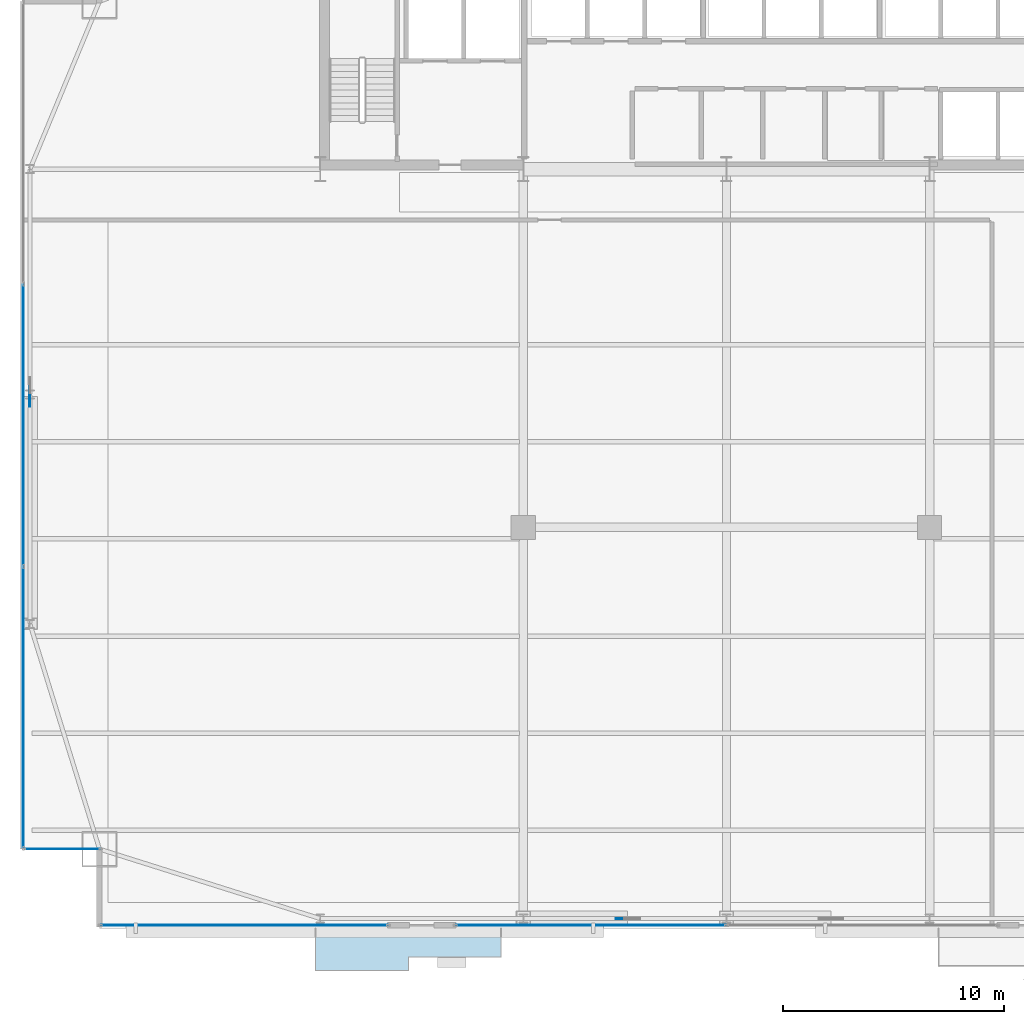
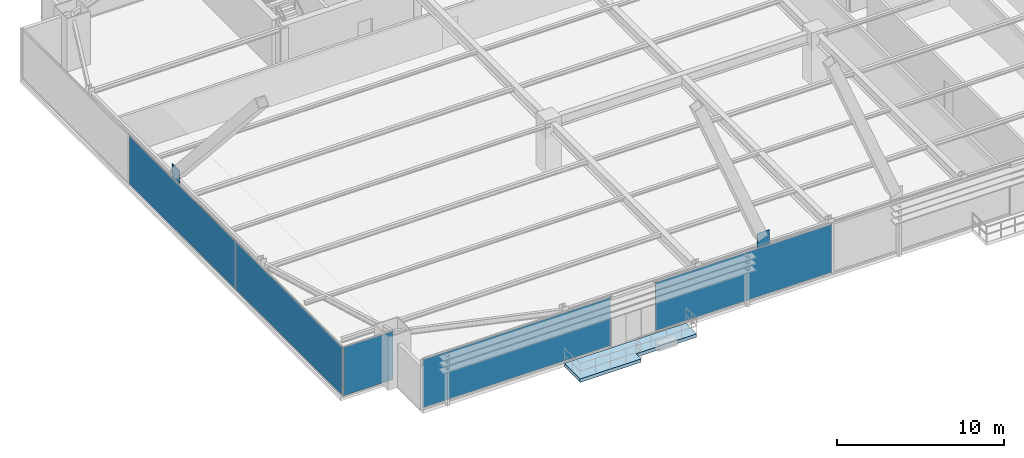
# One storey, part 25 of 35: 7 plates, 1 slab, 4 elements without a shape of their own.
"""IFC4 building model written with IfcOpenShell, lengths in metres."""

import ifcopenshell
import ifcopenshell.guid

model = None  # the IFC model being written
_history = None  # IfcOwnerHistory: only IFC2X3 demands one
_inside = {}  # id of a spatial element -> (the spatial element, [elements in it])
_under = {}  # id of a project, library or spatial element -> (it, [spatial elements below it])
_declared = {}  # id of a project -> (the project, [libraries it declares])
_typed = {}  # id of a type object -> (the type object, [elements of that type])
_made_of = {}  # id of a material, layer set ... -> (it, [elements and type objects made of it])


def new_model(schema):
    """Start an empty IFC model of exactly this schema.

    Asked for "IFC4X3", IfcOpenShell would pick the latest addendum, in which some entities
    have other attributes; the version numbers below select the first issue.
    IFC2X3 requires an IfcOwnerHistory on every rooted entity: one is made here for all.
    """
    global model, _history
    if schema == "IFC4X3":
        model = ifcopenshell.file(schema_version=(4, 3, 0, 0))
    else:
        model = ifcopenshell.file(schema=schema)
    _inside.clear()
    _under.clear()
    _declared.clear()
    _typed.clear()
    _made_of.clear()
    _history = None
    if model.schema == "IFC2X3":
        org = make("IfcOrganization", Name="unknown")
        user = make(
            "IfcPersonAndOrganization",
            ThePerson=make("IfcPerson", FamilyName="unknown"),
            TheOrganization=org,
        )
        app = make(
            "IfcApplication",
            ApplicationDeveloper=org,
            Version="unknown",
            ApplicationFullName="unknown",
            ApplicationIdentifier="unknown",
        )
        _history = make(
            "IfcOwnerHistory",
            OwningUser=user,
            OwningApplication=app,
            ChangeAction="ADDED",
            CreationDate=0,
        )
    return model


def make(cls, **values):
    """One entity of the class cls with the attributes given. An attribute that is None is left unset."""
    return model.create_entity(
        cls, **{name: value for name, value in values.items() if value is not None}
    )


def rooted(cls, **values):
    """An entity with a GlobalId (a new one), such as an element, a storey or a relation."""
    return make(cls, GlobalId=ifcopenshell.guid.new(), OwnerHistory=_history, **values)


def si_unit(unit_type, name, prefix=None):
    """IfcSIUnit, for example si_unit("LENGTHUNIT", "METRE", prefix="MILLI")."""
    return make("IfcSIUnit", UnitType=unit_type, Prefix=prefix, Name=name)


def assignment(units):
    """IfcUnitAssignment: the units of a project."""
    return None if units is None else make("IfcUnitAssignment", Units=units)


def point(xyz):
    """IfcCartesianPoint."""
    return None if xyz is None else make("IfcCartesianPoint", Coordinates=xyz)


def direction(xyz):
    """IfcDirection."""
    return None if xyz is None else make("IfcDirection", DirectionRatios=xyz)


def frame(location, z_axis=None, x_axis=None):
    """IfcAxis2Placement3D, a coordinate frame: its origin and axes. An axis left out is left unset."""
    return make(
        "IfcAxis2Placement3D",
        Location=point(location),
        Axis=direction(z_axis),
        RefDirection=direction(x_axis),
    )


def frame_2d(location, x_axis=None):
    """IfcAxis2Placement2D, a coordinate frame in the plane: its origin and x axis."""
    return make(
        "IfcAxis2Placement2D", Location=point(location), RefDirection=direction(x_axis)
    )


def origin():
    """The frame at (0, 0, 0) with its axes left unset."""
    return frame((0.0, 0.0, 0.0))


def origin_2d():
    """The frame at (0, 0) in the plane with its x axis left unset."""
    return frame_2d((0.0, 0.0))


def place(relative_to, where):
    """IfcLocalPlacement: puts the frame where relative to a parent placement (None: the world)."""
    return make(
        "IfcLocalPlacement", PlacementRelTo=relative_to, RelativePlacement=where
    )


def context(
    kind, dimensions, precision=None, world=None, true_north=None, identifier=None
):
    """IfcGeometricRepresentationContext, for example the 3D "Model" context."""
    return make(
        "IfcGeometricRepresentationContext",
        ContextIdentifier=identifier,
        ContextType=kind,
        CoordinateSpaceDimension=dimensions,
        Precision=precision,
        WorldCoordinateSystem=world,
        TrueNorth=true_north,
    )


def subcontext(parent, identifier, kind, view, scale=None):
    """IfcGeometricRepresentationSubContext, for example "Body" below "Model"."""
    return make(
        "IfcGeometricRepresentationSubContext",
        ContextIdentifier=identifier,
        ContextType=kind,
        ParentContext=parent,
        TargetScale=scale,
        TargetView=view,
    )


def project(units=None, contexts=None):
    """IfcProject with its units and contexts."""
    return rooted(
        "IfcProject",
        Name="project",
        RepresentationContexts=contexts,
        UnitsInContext=assignment(units),
    )


def spatial(cls, under=None, at=None, **own):
    """A site, building, storey or space (cls), placed at a placement, below another one or the project."""
    s = rooted(cls, ObjectPlacement=at, **own)
    if under is not None:
        _under.setdefault(under.id(), (under, []))[1].append(s)
    return s


def polyline(points):
    """IfcPolyline through the points."""
    return make("IfcPolyline", Points=[point(p) for p in points])


def profile(cls, at=None, kind="AREA", **sizes):
    """A parametric profile (cls). Its sizes go by their IFC names, for example OverallWidth=200.0."""
    return make(cls, ProfileType=kind, Position=at, **sizes)


def rectangle(**sizes):
    """IfcRectangleProfileDef."""
    return profile("IfcRectangleProfileDef", **sizes)


def outline(outer, holes=None, kind="AREA"):
    """IfcArbitraryClosedProfileDef: a profile drawn as a closed curve; with holes, ...WithVoids."""
    if holes is None:
        return make("IfcArbitraryClosedProfileDef", ProfileType=kind, OuterCurve=outer)
    return make(
        "IfcArbitraryProfileDefWithVoids",
        ProfileType=kind,
        OuterCurve=outer,
        InnerCurves=holes,
    )


def extrude(swept, where, along, depth):
    """IfcExtrudedAreaSolid: the profile swept, set in the frame where, extruded along a direction by depth."""
    return make(
        "IfcExtrudedAreaSolid",
        SweptArea=swept,
        Position=where,
        ExtrudedDirection=direction(along),
        Depth=depth,
    )


def shape(context_of_items, identifier, shape_type, items):
    """IfcShapeRepresentation: the items that make up one representation, for example the "Body"."""
    return make(
        "IfcShapeRepresentation",
        ContextOfItems=context_of_items,
        RepresentationIdentifier=identifier,
        RepresentationType=shape_type,
        Items=items,
    )


def source(mapping_origin, context_of_items, identifier, shape_type, items):
    """IfcRepresentationMap: a shape defined once, which mapped items show again and again."""
    return make(
        "IfcRepresentationMap",
        MappingOrigin=mapping_origin,
        MappedRepresentation=shape(context_of_items, identifier, shape_type, items),
    )


def transform(
    local_origin,
    x_axis=None,
    y_axis=None,
    z_axis=None,
    scale=None,
    scale2=None,
    scale3=None,
    uniform=True,
):
    """IfcCartesianTransformationOperator3D, or its non-uniform kind. x_axis, y_axis, z_axis: its Axis1, 2, 3."""
    if uniform:
        return make(
            "IfcCartesianTransformationOperator3D",
            Axis1=direction(x_axis),
            Axis2=direction(y_axis),
            LocalOrigin=point(local_origin),
            Scale=scale,
            Axis3=direction(z_axis),
        )
    return make(
        "IfcCartesianTransformationOperator3DnonUniform",
        Axis1=direction(x_axis),
        Axis2=direction(y_axis),
        LocalOrigin=point(local_origin),
        Scale=scale,
        Axis3=direction(z_axis),
        Scale2=scale2,
        Scale3=scale3,
    )


def mapped(mapping_source, mapping_target):
    """IfcMappedItem: shows the shape of a source again, moved by a transform."""
    return make(
        "IfcMappedItem", MappingSource=mapping_source, MappingTarget=mapping_target
    )


def material(Name=None, Category=None):
    """IfcMaterial."""
    return make("IfcMaterial", Name=Name, Category=Category)


def layer(
    of_material, thickness, ventilated=None, Name=None, Category=None, Priority=None
):
    """IfcMaterialLayer: one layer of a wall or slab, of a material (None: an air gap)."""
    return make(
        "IfcMaterialLayer",
        Material=of_material,
        LayerThickness=thickness,
        IsVentilated=ventilated,
        Name=Name,
        Category=Category,
        Priority=Priority,
    )


def layer_set(layers, Name=None):
    """IfcMaterialLayerSet."""
    return make("IfcMaterialLayerSet", MaterialLayers=layers, LayerSetName=Name)


def made_of(thing, what):
    """Note that an element or type object is made of a material, layer set ...; save() writes the relation."""
    if what is not None:
        _made_of.setdefault(what.id(), (what, []))[1].append(thing)
    return thing


def type_object(cls, material=None, **own):
    """A type object (cls), such as IfcWallType, which elements share."""
    return made_of(rooted(cls, **own), material)


def type_shapes(of_type, sources):
    """Give a type object the sources (RepresentationMaps) that its elements show as mapped items."""
    of_type.RepresentationMaps = sources


def element(
    cls,
    number,
    at=None,
    inside=None,
    cuts=None,
    type_object=None,
    material=None,
    context=None,
    identifier="Body",
    shape_type=None,
    held_by="IfcProductDefinitionShape",
    body=None,
    shapes=None,
    **own,
):
    """One element of the class cls, such as IfcWall. Its Tag is "e" and its number.

    at: its placement. inside: the storey or other place that contains it. cuts: it is an
    opening in that element (IfcRelVoidsElement). A single representation is given by context,
    identifier, shape_type and body (its items); several are given by shapes. held_by: the class
    of the entity that holds the representations. save() writes the other relations.
    """
    e = rooted(cls, Tag="e%d" % number, ObjectPlacement=at, **own)
    if body is not None:
        shapes = [shape(context, identifier, shape_type, body)]
    if shapes is not None:
        e.Representation = make(held_by, Representations=shapes)
    if inside is not None:
        _inside.setdefault(inside.id(), (inside, []))[1].append(e)
    if cuts is not None:
        rooted(
            "IfcRelVoidsElement", RelatingBuildingElement=cuts, RelatedOpeningElement=e
        )
    if type_object is not None:
        _typed.setdefault(type_object.id(), (type_object, []))[1].append(e)
    return made_of(e, material)


def aggregate(whole, parts):
    """IfcRelAggregates: a whole, such as a stair, and the parts it consists of."""
    return rooted("IfcRelAggregates", RelatingObject=whole, RelatedObjects=parts)


def save(model, path):
    """Write the relations noted so far, then the file.

    IfcRelAggregates (storeys below a building ...), IfcRelContainedInSpatialStructure (elements
    in a storey), IfcRelDefinesByType, IfcRelAssociatesMaterial and IfcRelDeclares: one each for
    every whole, place, type object, material and project.
    """
    for whole, parts in _under.values():
        aggregate(whole, parts)
    for where, things in _inside.values():
        rooted(
            "IfcRelContainedInSpatialStructure",
            RelatedElements=things,
            RelatingStructure=where,
        )
    for kind, things in _typed.values():
        rooted("IfcRelDefinesByType", RelatedObjects=things, RelatingType=kind)
    for what, things in _made_of.values():
        rooted("IfcRelAssociatesMaterial", RelatedObjects=things, RelatingMaterial=what)
    for by, libraries in _declared.values():
        rooted("IfcRelDeclares", RelatingContext=by, RelatedDefinitions=libraries)
    model.write(path)


model = new_model("IFC4")

# Units and contexts
model_context = context("Model", 3, precision=1e-05, world=origin(), true_north=direction((0.0, 1.0)))
body_context = subcontext(model_context, "Body", "Model", "MODEL_VIEW")
ifc_project = project(units=[si_unit("LENGTHUNIT", "METRE"), si_unit("AREAUNIT", "SQUARE_METRE"), si_unit("VOLUMEUNIT", "CUBIC_METRE"), si_unit("PLANEANGLEUNIT", "RADIAN"), si_unit("MASSUNIT", "GRAM", prefix="KILO")], contexts=[model_context])

# Site, building, storey
site_placement = place(None, origin())
site = spatial("IfcSite", under=ifc_project, at=site_placement, CompositionType="ELEMENT")
building_placement = place(site_placement, origin())
building = spatial("IfcBuilding", under=site, at=building_placement, Name="Varnel Quay Broadcast Tower", CompositionType="ELEMENT")
storey_placement = place(building_placement, frame((0.0, 0.0, 66.60009765625)))
storey = spatial("IfcBuildingStorey", under=building, at=storey_placement, Name="L15", CompositionType="ELEMENT", Elevation=66.60009765625)

# Slab
ifc_material_1 = material(Name="Concrete CSA A23.3 C40/50", Category="concrete")
ifc_layer_1 = layer(ifc_material_1, 0.25, Name="Concrete CSA A23.3 C40/50")
ifc_layer_set_1 = layer_set([ifc_layer_1], Name="Concrete CSA A23.3 C40/50")
slab_type = type_object("IfcSlabType", Name="Slab_ExtTerrace250", PredefinedType="FLOOR", material=ifc_layer_set_1)
slab_placement = place(storey_placement, frame((0.0, 0.0, -0.25)))
element("IfcSlab", 1, at=slab_placement, inside=storey, type_object=slab_type, Name="L15 Planted Lobe Terrace Slab 1", PredefinedType="FLOOR", context=body_context, shape_type="SweptSolid", body=[
    extrude(outline(polyline([(15.389892578125, -0.695068359375), (19.590087890625, -0.695068359375), (19.590087890625, -0.094970703125), (23.7900390625, -0.094970703125), (23.7900390625, 1.199951171875), (15.389892578125, 1.199951171875), (15.389892578125, -0.695068359375)])), origin(), (0.0, 0.0, 1.0), 0.25),
])

# Plates
ifc_material_2 = material(Name="Structural Steel CSA G40.21 350WT", Category="steel")
ifc_layer_2 = layer(ifc_material_2, 0.0400390625, Name="Structural Steel CSA G40.21 350WT")
ifc_layer_set_2 = layer_set([ifc_layer_2], Name="Structural Steel CSA G40.21 350WT")
plate_type_1 = type_object("IfcPlateType", Name="Plate_MegaGusset", PredefinedType="USERDEFINED", material=ifc_layer_set_2)
shared_shape_1 = source(origin(), body_context, "Body", "SweptSolid", [
    extrude(rectangle(XDim=0.8349609375, YDim=0.0400390625, at=origin_2d()), origin(), (0.0, 0.0, 1.0), 1.429931640625),
])
plate_1_placement = place(storey_placement, frame((29.39990234375, 1.64990234375, 3.02490234375), z_axis=(0.0, 0.0, 1.0), x_axis=(1.0, 0.0, 0.0)))
element("IfcPlate", 2, at=plate_1_placement, inside=storey, type_object=plate_type_1, Name="Zone 1 Mega-Brace S-C1T3 Central X-Crossing Gusset Plate", ObjectType="GUSSET_PLATE", PredefinedType="USERDEFINED", context=body_context, shape_type="MappedRepresentation", body=[
    mapped(shared_shape_1, transform((0.0, 0.0, 0.0), x_axis=(1.0, 0.0, 0.0), y_axis=(0.0, 1.0, 0.0), z_axis=(0.0, 0.0, 1.0), scale=1.0)),
])
shared_shape_2 = source(origin(), body_context, "Body", "SweptSolid", [
    extrude(rectangle(XDim=0.943115234375, YDim=0.0400390625, at=origin_2d()), origin(), (0.0, 0.0, 1.0), 1.001953125),
])
type_shapes(plate_type_1, [shared_shape_1, shared_shape_2])
plate_2_placement = place(storey_placement, frame((2.449951171875, 25.300048828125, 3.239013671875), z_axis=(0.0, 0.0, 1.0), x_axis=(0.0, 1.0, 0.0)))
element("IfcPlate", 3, at=plate_2_placement, inside=storey, type_object=plate_type_1, Name="Zone 1 Mega-Brace W-FT3 Central X-Crossing Gusset Plate", ObjectType="GUSSET_PLATE", PredefinedType="USERDEFINED", context=body_context, shape_type="MappedRepresentation", body=[
    mapped(shared_shape_2, transform((0.0, 0.0, 0.0), x_axis=(1.0, 0.0, 0.0), y_axis=(0.0, 1.0, 0.0), z_axis=(0.0, 0.0, 1.0), scale=1.0)),
])

# Curtain wall, plate
ifc_material_3 = material(Name="Anodised Bronze Aluminium 6063-T6", Category="aluminium")
ifc_layer_3 = layer(ifc_material_3, 0.18994140625, Name="Anodised Bronze Aluminium 6063-T6")
ifc_layer_set_3 = layer_set([ifc_layer_3], Name="Anodised Bronze Aluminium 6063-T6")
curtain_wall_type_1 = type_object("IfcCurtainWallType", Name="CW_LowerTower", PredefinedType="NOTDEFINED", material=ifc_layer_set_3)
curtain_wall_1_placement = place(storey_placement, origin())
curtain_wall_1 = element("IfcCurtainWall", 4, at=curtain_wall_1_placement, inside=storey, type_object=curtain_wall_type_1, Name="L15 South Unitised Curtain Wall 1", PredefinedType="NOTDEFINED")
ifc_material_4 = material(Name="Triple-Glazed Bronze Low-E Architectural Glass", Category="glass")
ifc_layer_4 = layer(ifc_material_4, 0.031982421875, Name="Triple-Glazed Bronze Low-E Architectural Glass")
ifc_layer_set_4 = layer_set([ifc_layer_4], Name="Triple-Glazed Bronze Low-E Architectural Glass")
plate_type_2 = type_object("IfcPlateType", Name="Panel_CWS-02", PredefinedType="CURTAIN_PANEL", material=ifc_layer_set_4)
shared_shape_3 = source(origin(), body_context, "Body", "SweptSolid", [
    extrude(rectangle(XDim=12.97998046875, YDim=0.031982421875, at=origin_2d()), origin(), (0.0, 0.0, 1.0), 3.530029296875),
])
plate_3_placement = place(storey_placement, frame((12.159912109375, 1.35009765625, 0.06005859375), z_axis=(0.0, 0.0, 1.0), x_axis=(1.0, 0.0, 0.0)))
plate_3 = element("IfcPlate", 5, at=plate_3_placement, type_object=plate_type_2, Name="CWS-02 panel 1.1", PredefinedType="CURTAIN_PANEL", context=body_context, shape_type="MappedRepresentation", body=[
    mapped(shared_shape_3, transform((0.0, 0.0, 0.0), x_axis=(1.0, 0.0, 0.0), y_axis=(0.0, 1.0, 0.0), z_axis=(0.0, 0.0, 1.0), scale=1.0)),
])
aggregate(curtain_wall_1, [plate_3])

curtain_wall_2_placement = place(storey_placement, origin())
curtain_wall_2 = element("IfcCurtainWall", 6, at=curtain_wall_2_placement, inside=storey, type_object=curtain_wall_type_1, Name="L15 South Unitised Curtain Wall 2", PredefinedType="NOTDEFINED")
ifc_material_5 = material(Name="Insulated Bronze Spandrel Glass", Category="glass")
ifc_layer_5 = layer(ifc_material_5, 0.031982421875, Name="Insulated Bronze Spandrel Glass")
ifc_layer_set_5 = layer_set([ifc_layer_5], Name="Insulated Bronze Spandrel Glass")
plate_type_3 = type_object("IfcPlateType", Name="PanelSp_CWS-02", PredefinedType="CURTAIN_PANEL", material=ifc_layer_set_5)
shared_shape_4 = source(origin(), body_context, "Body", "SweptSolid", [
    extrude(rectangle(XDim=12.215087890625, YDim=0.031982421875, at=origin_2d()), origin(), (0.0, 0.0, 1.0), 3.530029296875),
])
plate_4_placement = place(storey_placement, frame((27.857421875, 1.35009765625, 0.06005859375), z_axis=(0.0, 0.0, 1.0), x_axis=(1.0, 0.0, 0.0)))
plate_4 = element("IfcPlate", 7, at=plate_4_placement, type_object=plate_type_3, Name="CWS-02 panel 1.1", PredefinedType="CURTAIN_PANEL", context=body_context, shape_type="MappedRepresentation", body=[
    mapped(shared_shape_4, transform((0.0, 0.0, 0.0), x_axis=(1.0, 0.0, 0.0), y_axis=(0.0, 1.0, 0.0), z_axis=(0.0, 0.0, 1.0), scale=1.0)),
])
aggregate(curtain_wall_2, [plate_4])

curtain_wall_3_placement = place(storey_placement, origin())
curtain_wall_3 = element("IfcCurtainWall", 8, at=curtain_wall_3_placement, inside=storey, type_object=curtain_wall_type_1, Name="L15 West Unitised Curtain Wall", PredefinedType="NOTDEFINED")
shared_shape_5 = source(origin(), body_context, "Body", "SweptSolid", [
    extrude(rectangle(XDim=12.72998046875, YDim=0.031982421875, at=origin_2d()), origin(), (0.0, 0.0, 1.0), 3.530029296875),
])
type_shapes(plate_type_3, [shared_shape_4, shared_shape_5])
plate_5_placement = place(storey_placement, frame((2.14990234375, 24.0, 0.06005859375), z_axis=(0.0, 0.0, 1.0), x_axis=(0.0, 1.0, 0.0)))
plate_5 = element("IfcPlate", 9, at=plate_5_placement, type_object=plate_type_3, Name="CWS-02 panel 2.1", PredefinedType="CURTAIN_PANEL", context=body_context, shape_type="MappedRepresentation", body=[
    mapped(shared_shape_5, transform((0.0, 0.0, 0.0), x_axis=(1.0, 0.0, 0.0), y_axis=(0.0, 1.0, 0.0), z_axis=(0.0, 0.0, 1.0), scale=1.0)),
])

ifc_layer_6 = layer(ifc_material_3, 0.18994140625, Name="Anodised Bronze Aluminium 6063-T6")
ifc_layer_set_6 = layer_set([ifc_layer_6], Name="Anodised Bronze Aluminium 6063-T6")
curtain_wall_type_2 = type_object("IfcCurtainWallType", Name="CW_NotchCorner", PredefinedType="NOTDEFINED", material=ifc_layer_set_6)
curtain_wall_4_placement = place(storey_placement, origin())
curtain_wall_4 = element("IfcCurtainWall", 10, at=curtain_wall_4_placement, inside=storey, type_object=curtain_wall_type_2, Name="L15 SW Notch Curtain Wall", PredefinedType="NOTDEFINED")
ifc_layer_7 = layer(ifc_material_4, 0.028076171875, Name="Triple-Glazed Bronze Low-E Architectural Glass")
ifc_layer_set_7 = layer_set([ifc_layer_7], Name="Triple-Glazed Bronze Low-E Architectural Glass")
plate_type_4 = type_object("IfcPlateType", Name="Panel_CWS-04", PredefinedType="CURTAIN_PANEL", material=ifc_layer_set_7)
shared_shape_6 = source(origin(), body_context, "Body", "SweptSolid", [
    extrude(rectangle(XDim=3.409912109375, YDim=0.028076171875, at=origin_2d()), origin(), (0.0, 0.0, 1.0), 3.5400390625),
])
type_shapes(plate_type_4, [shared_shape_6])
plate_6_placement = place(storey_placement, frame((3.9150390625, 4.800048828125, 0.054931640625), z_axis=(0.0, 0.0, 1.0), x_axis=(1.0, 0.0, 0.0)))
plate_6 = element("IfcPlate", 11, at=plate_6_placement, type_object=plate_type_4, Name="CWS-04 panel 1.1", PredefinedType="CURTAIN_PANEL", context=body_context, shape_type="MappedRepresentation", body=[
    mapped(shared_shape_6, transform((0.0, 0.0, 0.0), x_axis=(1.0, 0.0, 0.0), y_axis=(0.0, 1.0, 0.0), z_axis=(0.0, 0.0, 1.0), scale=1.0)),
])
aggregate(curtain_wall_4, [plate_6])

# Plate
shared_shape_7 = source(origin(), body_context, "Body", "SweptSolid", [
    extrude(rectangle(XDim=12.695068359375, YDim=0.031982421875, at=origin_2d()), origin(), (0.0, 0.0, 1.0), 3.530029296875),
])
type_shapes(plate_type_2, [shared_shape_3, shared_shape_7])
plate_7_placement = place(storey_placement, frame((2.14990234375, 11.217529296875, 0.06005859375), z_axis=(0.0, 0.0, 1.0), x_axis=(0.0, 1.0, 0.0)))
plate_7 = element("IfcPlate", 12, at=plate_7_placement, type_object=plate_type_2, Name="CWS-02 panel 1.1", PredefinedType="CURTAIN_PANEL", context=body_context, shape_type="MappedRepresentation", body=[
    mapped(shared_shape_7, transform((0.0, 0.0, 0.0), x_axis=(1.0, 0.0, 0.0), y_axis=(0.0, 1.0, 0.0), z_axis=(0.0, 0.0, 1.0), scale=1.0)),
])

aggregate(curtain_wall_3, [plate_7, plate_5])

save(model, "model.ifc")
